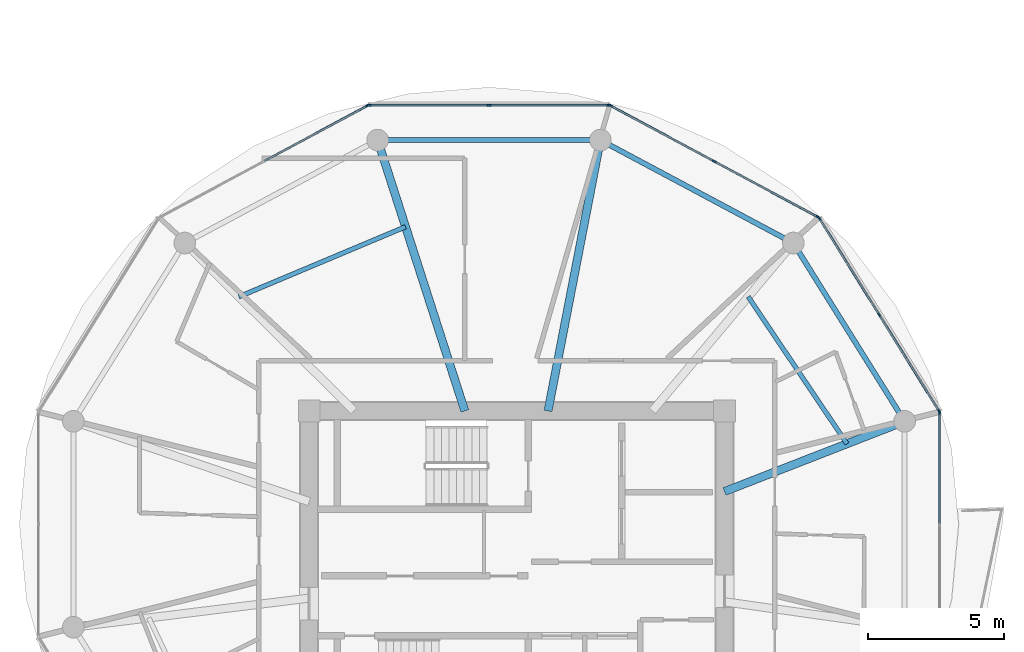
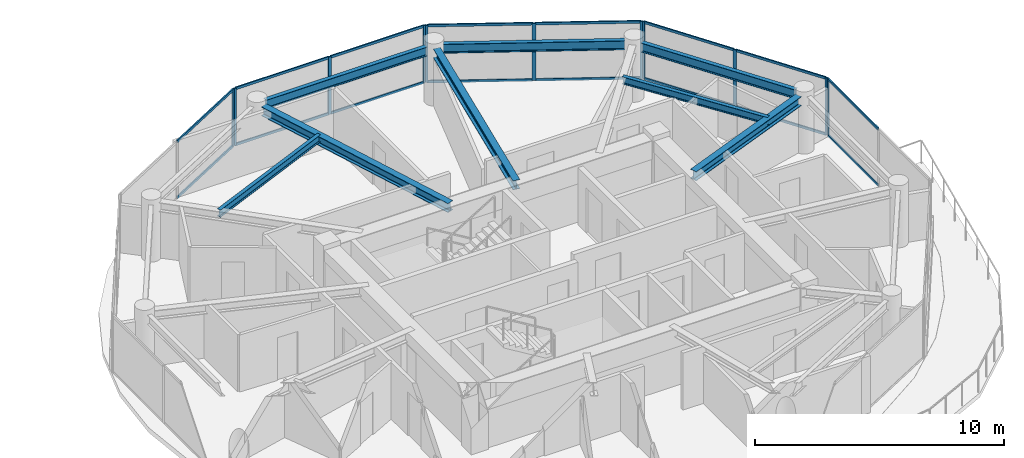
# One storey, part 10 of 24: 27 members, 8 beams, 5 elements without a shape of their own.
"""IFC4 building model written with IfcOpenShell, lengths in metres."""

from ifc_helpers import new_model, si_unit, direction, frame, origin, origin_2d, place, context, subcontext, project, spatial, rectangle, i_section, extrude, source, transform, mapped, material, layer, layer_set, material_profile, profile_set, type_object, type_shapes, element, aggregate, save


model = new_model("IFC4")

# Units and contexts
model_context = context("Model", 3, precision=1e-05, world=origin(), true_north=direction((0.0, 1.0)))
body_context = subcontext(model_context, "Body", "Model", "MODEL_VIEW")
ifc_project = project(units=[si_unit("LENGTHUNIT", "METRE"), si_unit("AREAUNIT", "SQUARE_METRE"), si_unit("VOLUMEUNIT", "CUBIC_METRE"), si_unit("PLANEANGLEUNIT", "RADIAN"), si_unit("MASSUNIT", "GRAM", prefix="KILO")], contexts=[model_context])

# Site, building, storey
site_placement = place(None, origin())
site = spatial("IfcSite", under=ifc_project, at=site_placement, CompositionType="ELEMENT")
building_placement = place(site_placement, origin())
building = spatial("IfcBuilding", under=site, at=building_placement, Name="Norrkilde Senior Care Towers", CompositionType="ELEMENT")
storey_placement = place(building_placement, frame((0.0, 0.0, 155.64990234375)))
storey = spatial("IfcBuildingStorey", under=building, at=storey_placement, Name="L48", CompositionType="ELEMENT", Elevation=155.64990234375)

# Beams
ifc_material_1 = material(Name="Steel S355", Category="steel")
ifc_material_profile_1 = material_profile(ifc_material_1, i_section(OverallWidth=0.18994140625, OverallDepth=0.449951171875, WebThickness=0.009521484375, FlangeThickness=0.0146484375, FilletRadius=0.02099609375, at=origin_2d()), Name="IPE 450")
ifc_profile_set_1 = profile_set([ifc_material_profile_1], Name="Steel S355")
beam_type_1 = type_object("IfcBeamType", Name="Perimeter Ring Spandrel Z3 IPE450", PredefinedType="SPANDREL", material=ifc_profile_set_1)
shared_shape_1 = source(origin(), body_context, "Body", "SweptSolid", [
    extrude(i_section(OverallWidth=0.18994140625, OverallDepth=0.449951171875, WebThickness=0.009521484375, FlangeThickness=0.0146484375, FilletRadius=0.02099609375, at=origin_2d()), origin(), (0.0, 0.0, 1.0), 7.0234375),
])
beam_1_placement = place(storey_placement, frame((42.09423828125, 5.872314453125, 2.585205078125), z_axis=(-0.529789577822, 0.848129119433, 0.0), x_axis=(-0.848129119433, -0.529789577822, 0.0)))
element("IfcBeam", 1, at=beam_1_placement, inside=storey, type_object=beam_type_1, Name="L48 Drum E Perimeter Spandrel 01", PredefinedType="SPANDREL", context=body_context, shape_type="MappedRepresentation", body=[
    mapped(shared_shape_1, transform((0.0, 0.0, 0.0), x_axis=(1.0, 0.0, 0.0), y_axis=(0.0, 1.0, 0.0), z_axis=(0.0, 0.0, 1.0), scale=1.0)),
])
shared_shape_2 = source(origin(), body_context, "Body", "SweptSolid", [
    extrude(i_section(OverallWidth=0.18994140625, OverallDepth=0.449951171875, WebThickness=0.009521484375, FlangeThickness=0.0146484375, FilletRadius=0.02099609375, at=origin_2d()), origin(), (0.0, 0.0, 1.0), 7.333740234375),
])
beam_2_placement = place(storey_placement, frame((37.864990234375, 12.303955078125, 2.585205078125), z_axis=(-0.882247866069, 0.470785198172, 0.0), x_axis=(-0.470785198172, -0.882247866069, 0.0)))
element("IfcBeam", 2, at=beam_2_placement, inside=storey, type_object=beam_type_1, Name="L48 Drum E Perimeter Spandrel 02", PredefinedType="SPANDREL", context=body_context, shape_type="MappedRepresentation", body=[
    mapped(shared_shape_2, transform((0.0, 0.0, 0.0), x_axis=(1.0, 0.0, 0.0), y_axis=(0.0, 1.0, 0.0), z_axis=(0.0, 0.0, 1.0), scale=1.0)),
])
shared_shape_3 = source(origin(), body_context, "Body", "SweptSolid", [
    extrude(i_section(OverallWidth=0.18994140625, OverallDepth=0.449951171875, WebThickness=0.009521484375, FlangeThickness=0.0146484375, FilletRadius=0.02099609375, at=origin_2d()), origin(), (0.0, 0.0, 1.0), 7.484619140625),
])
type_shapes(beam_type_1, [shared_shape_1, shared_shape_2, shared_shape_3])
beam_3_placement = place(storey_placement, frame((30.71728515625, 15.92626953125, 2.585205078125), z_axis=(-1.0, 0.0, 0.0), x_axis=(0.0, -1.0, 0.0)))
element("IfcBeam", 3, at=beam_3_placement, inside=storey, type_object=beam_type_1, Name="L48 Drum E Perimeter Spandrel 03", PredefinedType="SPANDREL", context=body_context, shape_type="MappedRepresentation", body=[
    mapped(shared_shape_3, transform((0.0, 0.0, 0.0), x_axis=(1.0, 0.0, 0.0), y_axis=(0.0, 1.0, 0.0), z_axis=(0.0, 0.0, 1.0), scale=1.0)),
])
ifc_material_profile_2 = material_profile(ifc_material_1, i_section(OverallWidth=0.300048828125, OverallDepth=0.449951171875, WebThickness=0.013916015625, FlangeThickness=0.02587890625, FilletRadius=0.027099609375, at=origin_2d()), Name="HEB 450")
ifc_profile_set_2 = profile_set([ifc_material_profile_2], Name="Steel S355")
beam_type_2 = type_object("IfcBeamType", Name="Radial Floor Beam Z3 HEB450", PredefinedType="BEAM", material=ifc_profile_set_2)
shared_shape_4 = source(origin(), body_context, "Body", "SweptSolid", [
    extrude(i_section(OverallWidth=0.300048828125, OverallDepth=0.449951171875, WebThickness=0.013916015625, FlangeThickness=0.02587890625, FilletRadius=0.027099609375, at=origin_2d()), origin(), (0.0, 0.0, 1.0), 10.120361328125),
])
beam_4_placement = place(storey_placement, frame((26.08447265625, 5.949951171875, 2.585205078125), z_axis=(-0.306440973744, 0.951889662519, 0.0), x_axis=(-0.951889662519, -0.306440973744, 0.0)))
element("IfcBeam", 4, at=beam_4_placement, inside=storey, type_object=beam_type_2, Name="L48 Drum E Radial Floor Beam 04", PredefinedType="BEAM", context=body_context, shape_type="MappedRepresentation", body=[
    mapped(shared_shape_4, transform((0.0, 0.0, 0.0), x_axis=(1.0, 0.0, 0.0), y_axis=(0.0, 1.0, 0.0), z_axis=(0.0, 0.0, 1.0), scale=1.0)),
])
shared_shape_5 = source(origin(), body_context, "Body", "SweptSolid", [
    extrude(i_section(OverallWidth=0.300048828125, OverallDepth=0.449951171875, WebThickness=0.013916015625, FlangeThickness=0.02587890625, FilletRadius=0.027099609375, at=origin_2d()), origin(), (0.0, 0.0, 1.0), 9.80078125),
])
beam_5_placement = place(storey_placement, frame((29.149658203125, 5.949951171875, 2.585205078125), z_axis=(0.189716727661, 0.98183886827, 0.0), x_axis=(-0.98183886827, 0.189716727661, 0.0)))
element("IfcBeam", 5, at=beam_5_placement, inside=storey, type_object=beam_type_2, Name="L48 Drum E Radial Floor Beam 03", PredefinedType="BEAM", context=body_context, shape_type="MappedRepresentation", body=[
    mapped(shared_shape_5, transform((0.0, 0.0, 0.0), x_axis=(1.0, 0.0, 0.0), y_axis=(0.0, 1.0, 0.0), z_axis=(0.0, 0.0, 1.0), scale=1.0)),
])
shared_shape_6 = source(origin(), body_context, "Body", "SweptSolid", [
    extrude(i_section(OverallWidth=0.300048828125, OverallDepth=0.449951171875, WebThickness=0.013916015625, FlangeThickness=0.02587890625, FilletRadius=0.027099609375, at=origin_2d()), origin(), (0.0, 0.0, 1.0), 6.760986328125),
])
type_shapes(beam_type_2, [shared_shape_4, shared_shape_5, shared_shape_6])
beam_6_placement = place(storey_placement, frame((35.64990234375, 2.981201171875, 2.585205078125), z_axis=(0.931742171387, 0.363120539297, 0.0), x_axis=(-0.363120539297, 0.931742171387, 0.0)))
element("IfcBeam", 6, at=beam_6_placement, inside=storey, type_object=beam_type_2, Name="L48 Drum E Radial Floor Beam 01", PredefinedType="BEAM", context=body_context, shape_type="MappedRepresentation", body=[
    mapped(shared_shape_6, transform((0.0, 0.0, 0.0), x_axis=(1.0, 0.0, 0.0), y_axis=(0.0, 1.0, 0.0), z_axis=(0.0, 0.0, 1.0), scale=1.0)),
])
ifc_material_profile_3 = material_profile(ifc_material_1, i_section(OverallWidth=0.169921875, OverallDepth=0.360107421875, WebThickness=0.008056640625, FlangeThickness=0.0126953125, FilletRadius=0.01806640625, at=origin_2d()), Name="IPE 360")
ifc_profile_set_3 = profile_set([ifc_material_profile_3], Name="Steel S355")
beam_type_3 = type_object("IfcBeamType", Name="Secondary Floor Joist IPE360", PredefinedType="JOIST", material=ifc_profile_set_3)
shared_shape_7 = source(origin(), body_context, "Body", "SweptSolid", [
    extrude(i_section(OverallWidth=0.169921875, OverallDepth=0.360107421875, WebThickness=0.008056640625, FlangeThickness=0.0126953125, FilletRadius=0.01806640625, at=origin_2d()), origin(), (0.0, 0.0, 1.0), 6.657470703125),
])
beam_7_placement = place(storey_placement, frame((23.900390625, 12.73388671875, 2.630126953125), z_axis=(-0.921958799252, -0.387287971, 0.0), x_axis=(0.387287971, -0.921958799252, 0.0)))
element("IfcBeam", 7, at=beam_7_placement, inside=storey, type_object=beam_type_3, Name="L48 Drum E Secondary Floor Joist 2", PredefinedType="JOIST", context=body_context, shape_type="MappedRepresentation", body=[
    mapped(shared_shape_7, transform((0.0, 0.0, 0.0), x_axis=(1.0, 0.0, 0.0), y_axis=(0.0, 1.0, 0.0), z_axis=(0.0, 0.0, 1.0), scale=1.0)),
])
shared_shape_8 = source(origin(), body_context, "Body", "SweptSolid", [
    extrude(i_section(OverallWidth=0.169921875, OverallDepth=0.360107421875, WebThickness=0.008056640625, FlangeThickness=0.0126953125, FilletRadius=0.01806640625, at=origin_2d()), origin(), (0.0, 0.0, 1.0), 6.525390625),
])
type_shapes(beam_type_3, [shared_shape_7, shared_shape_8])
beam_8_placement = place(storey_placement, frame((40.161865234375, 4.739501953125, 2.630126953125), z_axis=(-0.55779590102, 0.829978152005, 0.0), x_axis=(-0.829978152005, -0.55779590102, 0.0)))
element("IfcBeam", 8, at=beam_8_placement, inside=storey, type_object=beam_type_3, Name="L48 Drum E Secondary Floor Joist 1", PredefinedType="JOIST", context=body_context, shape_type="MappedRepresentation", body=[
    mapped(shared_shape_8, transform((0.0, 0.0, 0.0), x_axis=(1.0, 0.0, 0.0), y_axis=(0.0, 1.0, 0.0), z_axis=(0.0, 0.0, 1.0), scale=1.0)),
])

# Curtain wall, members
ifc_material_2 = material(Name="Triple Low-E Insulated Glazing", Category="glass")
ifc_layer = layer(ifc_material_2, 0.18994140625)
ifc_layer_set = layer_set([ifc_layer], Name="Triple Low-E Insulated Glazing")
curtain_wall_type = type_object("IfcCurtainWallType", Name="CW4 Zone 3 Senior Residence Curtain Wall", PredefinedType="NOTDEFINED", material=ifc_layer_set)
curtain_wall_1_placement = place(storey_placement, origin())
curtain_wall_1 = element("IfcCurtainWall", 9, at=curtain_wall_1_placement, inside=storey, type_object=curtain_wall_type, Name="L48 Drum E Curtain Wall 00", PredefinedType="NOTDEFINED")
ifc_material_3 = material(Name="Anodised Aluminium", Category="aluminium")
ifc_material_profile_4 = material_profile(ifc_material_3, rectangle(XDim=0.06494140625, YDim=0.14990234375, at=origin_2d()), Name="ALU MULL 65x150")
ifc_profile_set_4 = profile_set([ifc_material_profile_4], Name="Anodised Aluminium")
member_type_1 = type_object("IfcMemberType", Name="Curtain Wall Mullion Z3-Z4 65x150", PredefinedType="MULLION", material=ifc_profile_set_4)
shared_shape_9 = source(origin(), body_context, "Body", "SweptSolid", [
    extrude(rectangle(XDim=0.06494140625, YDim=0.14990234375, at=origin_2d()), origin(), (0.0, 0.0, 1.0), 2.81005859375),
])
type_shapes(member_type_1, [shared_shape_9])
member_1_placement = place(storey_placement, frame((39.14013671875, 13.04736328125, 0.0), z_axis=(0.0, 0.0, 1.0), x_axis=(0.84963405474, 0.52737270789, 0.0)))
member_1 = element("IfcMember", 10, at=member_1_placement, type_object=member_type_1, Name="CW-4 mullion 1", PredefinedType="MULLION", context=body_context, shape_type="MappedRepresentation", body=[
    mapped(shared_shape_9, transform((0.0, 0.0, 0.0), x_axis=(1.0, 0.0, 0.0), y_axis=(0.0, 1.0, 0.0), z_axis=(0.0, 0.0, 1.0), scale=1.0)),
])
member_2_placement = place(storey_placement, frame((41.346435546875, 9.4931640625, 0.0), z_axis=(0.0, 0.0, 1.0), x_axis=(0.84963405474, 0.52737270789, 0.0)))
member_2 = element("IfcMember", 11, at=member_2_placement, type_object=member_type_1, Name="CW-4 mullion 2", PredefinedType="MULLION", context=body_context, shape_type="MappedRepresentation", body=[
    mapped(shared_shape_9, transform((0.0, 0.0, 0.0), x_axis=(1.0, 0.0, 0.0), y_axis=(0.0, 1.0, 0.0), z_axis=(0.0, 0.0, 1.0), scale=1.0)),
])
member_3_placement = place(storey_placement, frame((43.552490234375, 5.93896484375, 0.0), z_axis=(0.0, 0.0, 1.0), x_axis=(0.84963405474, 0.52737270789, 0.0)))
member_3 = element("IfcMember", 12, at=member_3_placement, type_object=member_type_1, Name="CW-4 mullion 3", PredefinedType="MULLION", context=body_context, shape_type="MappedRepresentation", body=[
    mapped(shared_shape_9, transform((0.0, 0.0, 0.0), x_axis=(1.0, 0.0, 0.0), y_axis=(0.0, 1.0, 0.0), z_axis=(0.0, 0.0, 1.0), scale=1.0)),
])

curtain_wall_2_placement = place(storey_placement, origin())
curtain_wall_2 = element("IfcCurtainWall", 13, at=curtain_wall_2_placement, inside=storey, type_object=curtain_wall_type, Name="L48 Drum E Curtain Wall 01", PredefinedType="NOTDEFINED")
member_4_placement = place(storey_placement, frame((31.4501953125, 17.195556640625, 0.0), z_axis=(0.0, 0.0, 1.0), x_axis=(0.47311715104, 0.880999524059, 0.0)))
member_4 = element("IfcMember", 14, at=member_4_placement, type_object=member_type_1, Name="CW-4 mullion 1", PredefinedType="MULLION", context=body_context, shape_type="MappedRepresentation", body=[
    mapped(shared_shape_9, transform((0.0, 0.0, 0.0), x_axis=(1.0, 0.0, 0.0), y_axis=(0.0, 1.0, 0.0), z_axis=(0.0, 0.0, 1.0), scale=1.0)),
])
member_5_placement = place(storey_placement, frame((35.272216796875, 15.142822265625, 0.0), z_axis=(0.0, 0.0, 1.0), x_axis=(0.47311715104, 0.880999524059, 0.0)))
member_5 = element("IfcMember", 15, at=member_5_placement, type_object=member_type_1, Name="CW-4 mullion 2", PredefinedType="MULLION", context=body_context, shape_type="MappedRepresentation", body=[
    mapped(shared_shape_9, transform((0.0, 0.0, 0.0), x_axis=(1.0, 0.0, 0.0), y_axis=(0.0, 1.0, 0.0), z_axis=(0.0, 0.0, 1.0), scale=1.0)),
])
member_6_placement = place(storey_placement, frame((39.094482421875, 13.09033203125, 0.0), z_axis=(0.0, 0.0, 1.0), x_axis=(0.47311715104, 0.880999524059, 0.0)))
member_6 = element("IfcMember", 16, at=member_6_placement, type_object=member_type_1, Name="CW-4 mullion 3", PredefinedType="MULLION", context=body_context, shape_type="MappedRepresentation", body=[
    mapped(shared_shape_9, transform((0.0, 0.0, 0.0), x_axis=(1.0, 0.0, 0.0), y_axis=(0.0, 1.0, 0.0), z_axis=(0.0, 0.0, 1.0), scale=1.0)),
])

curtain_wall_3_placement = place(storey_placement, origin())
curtain_wall_3 = element("IfcCurtainWall", 17, at=curtain_wall_3_placement, inside=storey, type_object=curtain_wall_type, Name="L48 Drum E Curtain Wall 02", PredefinedType="NOTDEFINED")
member_7_placement = place(storey_placement, frame((22.56103515625, 17.2109375, 0.0), z_axis=(0.0, 0.0, 1.0), x_axis=(0.0, 1.0, 0.0)))
member_7 = element("IfcMember", 18, at=member_7_placement, type_object=member_type_1, Name="CW-4 mullion 1", PredefinedType="MULLION", context=body_context, shape_type="MappedRepresentation", body=[
    mapped(shared_shape_9, transform((0.0, 0.0, 0.0), x_axis=(1.0, 0.0, 0.0), y_axis=(0.0, 1.0, 0.0), z_axis=(0.0, 0.0, 1.0), scale=1.0)),
])
member_8_placement = place(storey_placement, frame((26.97509765625, 17.2109375, 0.0), z_axis=(0.0, 0.0, 1.0), x_axis=(0.0, 1.0, 0.0)))
member_8 = element("IfcMember", 19, at=member_8_placement, type_object=member_type_1, Name="CW-4 mullion 2", PredefinedType="MULLION", context=body_context, shape_type="MappedRepresentation", body=[
    mapped(shared_shape_9, transform((0.0, 0.0, 0.0), x_axis=(1.0, 0.0, 0.0), y_axis=(0.0, 1.0, 0.0), z_axis=(0.0, 0.0, 1.0), scale=1.0)),
])
member_9_placement = place(storey_placement, frame((31.388916015625, 17.2109375, 0.0), z_axis=(0.0, 0.0, 1.0), x_axis=(0.0, 1.0, 0.0)))
member_9 = element("IfcMember", 20, at=member_9_placement, type_object=member_type_1, Name="CW-4 mullion 3", PredefinedType="MULLION", context=body_context, shape_type="MappedRepresentation", body=[
    mapped(shared_shape_9, transform((0.0, 0.0, 0.0), x_axis=(1.0, 0.0, 0.0), y_axis=(0.0, 1.0, 0.0), z_axis=(0.0, 0.0, 1.0), scale=1.0)),
])

# Curtain wall, member
curtain_wall_4_placement = place(storey_placement, origin())
curtain_wall_4 = element("IfcCurtainWall", 21, at=curtain_wall_4_placement, inside=storey, type_object=curtain_wall_type, Name="L48 Drum E Curtain Wall 03", PredefinedType="NOTDEFINED")
member_10_placement = place(storey_placement, frame((22.499755859375, 17.195556640625, 0.0), z_axis=(0.0, 0.0, 1.0), x_axis=(-0.47311715104, 0.880999524059, 0.0)))
member_10 = element("IfcMember", 22, at=member_10_placement, type_object=member_type_1, Name="CW-4 mullion 3", PredefinedType="MULLION", context=body_context, shape_type="MappedRepresentation", body=[
    mapped(shared_shape_9, transform((0.0, 0.0, 0.0), x_axis=(1.0, 0.0, 0.0), y_axis=(0.0, 1.0, 0.0), z_axis=(0.0, 0.0, 1.0), scale=1.0)),
])

curtain_wall_5_placement = place(storey_placement, origin())
curtain_wall_5 = element("IfcCurtainWall", 23, at=curtain_wall_5_placement, inside=storey, type_object=curtain_wall_type, Name="L48 Drum E Curtain Wall 11", PredefinedType="NOTDEFINED")
member_11_placement = place(storey_placement, frame((43.569580078125, 5.878662109375, 0.0), z_axis=(0.0, 0.0, 1.0), x_axis=(1.0, 0.0, 0.0)))
member_11 = element("IfcMember", 24, at=member_11_placement, type_object=member_type_1, Name="CW-4 mullion 1", PredefinedType="MULLION", context=body_context, shape_type="MappedRepresentation", body=[
    mapped(shared_shape_9, transform((0.0, 0.0, 0.0), x_axis=(1.0, 0.0, 0.0), y_axis=(0.0, 1.0, 0.0), z_axis=(0.0, 0.0, 1.0), scale=1.0)),
])

# Member
ifc_material_profile_5 = material_profile(ifc_material_3, rectangle(XDim=0.06005859375, YDim=0.1201171875, at=origin_2d()), Name="ALU TRAN 60x120")
ifc_profile_set_5 = profile_set([ifc_material_profile_5], Name="Anodised Aluminium")
member_type_2 = type_object("IfcMemberType", Name="Curtain Wall Transom Typical 60x120", PredefinedType="USERDEFINED", material=ifc_profile_set_5)
shared_shape_10 = source(origin(), body_context, "Body", "SweptSolid", [
    extrude(rectangle(XDim=0.06005859375, YDim=0.1201171875, at=origin_2d()), origin(), (0.0, 0.0, 1.0), 4.1181640625),
])
member_12_placement = place(storey_placement, frame((39.157470703125, 13.019775390625, 0.030029296875), z_axis=(0.527331870867, -0.849659401153, 0.0), x_axis=(0.849659401153, 0.527331870867, 0.0)))
member_12 = element("IfcMember", 25, at=member_12_placement, type_object=member_type_2, Name="CW-4 transom 1.1", ObjectType="TRANSOM", PredefinedType="USERDEFINED", context=body_context, shape_type="MappedRepresentation", body=[
    mapped(shared_shape_10, transform((0.0, 0.0, 0.0), x_axis=(1.0, 0.0, 0.0), y_axis=(0.0, 1.0, 0.0), z_axis=(0.0, 0.0, 1.0), scale=1.0)),
])

member_13_placement = place(storey_placement, frame((39.157470703125, 13.019775390625, 2.780029296875), z_axis=(0.527331870867, -0.849659401153, 0.0), x_axis=(0.849659401153, 0.527331870867, 0.0)))
member_13 = element("IfcMember", 26, at=member_13_placement, type_object=member_type_2, Name="CW-4 transom 1.2", ObjectType="TRANSOM", PredefinedType="USERDEFINED", context=body_context, shape_type="MappedRepresentation", body=[
    mapped(shared_shape_10, transform((0.0, 0.0, 0.0), x_axis=(1.0, 0.0, 0.0), y_axis=(0.0, 1.0, 0.0), z_axis=(0.0, 0.0, 1.0), scale=1.0)),
])

member_14_placement = place(storey_placement, frame((41.363525390625, 9.465576171875, 0.030029296875), z_axis=(0.527374667286, -0.849632838528, 0.0), x_axis=(0.849632838528, 0.527374667286, 0.0)))
member_14 = element("IfcMember", 27, at=member_14_placement, type_object=member_type_2, Name="CW-4 transom 2.1", ObjectType="TRANSOM", PredefinedType="USERDEFINED", context=body_context, shape_type="MappedRepresentation", body=[
    mapped(shared_shape_10, transform((0.0, 0.0, 0.0), x_axis=(1.0, 0.0, 0.0), y_axis=(0.0, 1.0, 0.0), z_axis=(0.0, 0.0, 1.0), scale=1.0)),
])

member_15_placement = place(storey_placement, frame((41.363525390625, 9.465576171875, 2.780029296875), z_axis=(0.527374667286, -0.849632838528, 0.0), x_axis=(0.849632838528, 0.527374667286, 0.0)))
member_15 = element("IfcMember", 28, at=member_15_placement, type_object=member_type_2, Name="CW-4 transom 2.2", ObjectType="TRANSOM", PredefinedType="USERDEFINED", context=body_context, shape_type="MappedRepresentation", body=[
    mapped(shared_shape_10, transform((0.0, 0.0, 0.0), x_axis=(1.0, 0.0, 0.0), y_axis=(0.0, 1.0, 0.0), z_axis=(0.0, 0.0, 1.0), scale=1.0)),
])

aggregate(curtain_wall_1, [member_1, member_2, member_3, member_12, member_13, member_14, member_15])

shared_shape_11 = source(origin(), body_context, "Body", "SweptSolid", [
    extrude(rectangle(XDim=0.06005859375, YDim=0.1201171875, at=origin_2d()), origin(), (0.0, 0.0, 1.0), 4.2734375),
])
member_16_placement = place(storey_placement, frame((31.478759765625, 17.18017578125, 0.030029296875), z_axis=(0.880986050649, -0.47314223925, 0.0), x_axis=(0.47314223925, 0.880986050649, 0.0)))
member_16 = element("IfcMember", 29, at=member_16_placement, type_object=member_type_2, Name="CW-4 transom 1.1", ObjectType="TRANSOM", PredefinedType="USERDEFINED", context=body_context, shape_type="MappedRepresentation", body=[
    mapped(shared_shape_11, transform((0.0, 0.0, 0.0), x_axis=(1.0, 0.0, 0.0), y_axis=(0.0, 1.0, 0.0), z_axis=(0.0, 0.0, 1.0), scale=1.0)),
])

member_17_placement = place(storey_placement, frame((31.478759765625, 17.18017578125, 2.780029296875), z_axis=(0.880986050649, -0.47314223925, 0.0), x_axis=(0.47314223925, 0.880986050649, 0.0)))
member_17 = element("IfcMember", 30, at=member_17_placement, type_object=member_type_2, Name="CW-4 transom 1.2", ObjectType="TRANSOM", PredefinedType="USERDEFINED", context=body_context, shape_type="MappedRepresentation", body=[
    mapped(shared_shape_11, transform((0.0, 0.0, 0.0), x_axis=(1.0, 0.0, 0.0), y_axis=(0.0, 1.0, 0.0), z_axis=(0.0, 0.0, 1.0), scale=1.0)),
])

member_18_placement = place(storey_placement, frame((35.301025390625, 15.12744140625, 0.030029296875), z_axis=(0.881009863348, -0.473097897567, 0.0), x_axis=(0.473097897567, 0.881009863348, 0.0)))
member_18 = element("IfcMember", 31, at=member_18_placement, type_object=member_type_2, Name="CW-4 transom 2.1", ObjectType="TRANSOM", PredefinedType="USERDEFINED", context=body_context, shape_type="MappedRepresentation", body=[
    mapped(shared_shape_11, transform((0.0, 0.0, 0.0), x_axis=(1.0, 0.0, 0.0), y_axis=(0.0, 1.0, 0.0), z_axis=(0.0, 0.0, 1.0), scale=1.0)),
])

member_19_placement = place(storey_placement, frame((35.301025390625, 15.12744140625, 2.780029296875), z_axis=(0.881009863348, -0.473097897567, 0.0), x_axis=(0.473097897567, 0.881009863348, 0.0)))
member_19 = element("IfcMember", 32, at=member_19_placement, type_object=member_type_2, Name="CW-4 transom 2.2", ObjectType="TRANSOM", PredefinedType="USERDEFINED", context=body_context, shape_type="MappedRepresentation", body=[
    mapped(shared_shape_11, transform((0.0, 0.0, 0.0), x_axis=(1.0, 0.0, 0.0), y_axis=(0.0, 1.0, 0.0), z_axis=(0.0, 0.0, 1.0), scale=1.0)),
])

aggregate(curtain_wall_2, [member_4, member_5, member_6, member_16, member_17, member_18, member_19])

member_20_placement = place(storey_placement, frame((18.706298828125, 15.158203125, 0.030029296875), z_axis=(0.880986050649, 0.47314223925, 0.0), x_axis=(-0.47314223925, 0.880986050649, 0.0)))
member_20 = element("IfcMember", 33, at=member_20_placement, type_object=member_type_2, Name="CW-4 transom 2.1", ObjectType="TRANSOM", PredefinedType="USERDEFINED", context=body_context, shape_type="MappedRepresentation", body=[
    mapped(shared_shape_11, transform((0.0, 0.0, 0.0), x_axis=(1.0, 0.0, 0.0), y_axis=(0.0, 1.0, 0.0), z_axis=(0.0, 0.0, 1.0), scale=1.0)),
])

member_21_placement = place(storey_placement, frame((18.706298828125, 15.158203125, 2.780029296875), z_axis=(0.880986050649, 0.47314223925, 0.0), x_axis=(-0.47314223925, 0.880986050649, 0.0)))
member_21 = element("IfcMember", 34, at=member_21_placement, type_object=member_type_2, Name="CW-4 transom 2.2", ObjectType="TRANSOM", PredefinedType="USERDEFINED", context=body_context, shape_type="MappedRepresentation", body=[
    mapped(shared_shape_11, transform((0.0, 0.0, 0.0), x_axis=(1.0, 0.0, 0.0), y_axis=(0.0, 1.0, 0.0), z_axis=(0.0, 0.0, 1.0), scale=1.0)),
])

aggregate(curtain_wall_4, [member_10, member_20, member_21])

shared_shape_12 = source(origin(), body_context, "Body", "SweptSolid", [
    extrude(rectangle(XDim=0.06005859375, YDim=0.1201171875, at=origin_2d()), origin(), (0.0, 0.0, 1.0), 4.038330078125),
])
member_22_placement = place(storey_placement, frame((43.569580078125, 5.84619140625, 0.030029296875), z_axis=(0.0, -1.0, 0.0), x_axis=(1.0, 0.0, 0.0)))
member_22 = element("IfcMember", 35, at=member_22_placement, type_object=member_type_2, Name="CW-4 transom 1.1", ObjectType="TRANSOM", PredefinedType="USERDEFINED", context=body_context, shape_type="MappedRepresentation", body=[
    mapped(shared_shape_12, transform((0.0, 0.0, 0.0), x_axis=(1.0, 0.0, 0.0), y_axis=(0.0, 1.0, 0.0), z_axis=(0.0, 0.0, 1.0), scale=1.0)),
])

member_23_placement = place(storey_placement, frame((43.569580078125, 5.84619140625, 2.780029296875), z_axis=(0.0, -1.0, 0.0), x_axis=(1.0, 0.0, 0.0)))
member_23 = element("IfcMember", 36, at=member_23_placement, type_object=member_type_2, Name="CW-4 transom 1.2", ObjectType="TRANSOM", PredefinedType="USERDEFINED", context=body_context, shape_type="MappedRepresentation", body=[
    mapped(shared_shape_12, transform((0.0, 0.0, 0.0), x_axis=(1.0, 0.0, 0.0), y_axis=(0.0, 1.0, 0.0), z_axis=(0.0, 0.0, 1.0), scale=1.0)),
])

aggregate(curtain_wall_5, [member_11, member_22, member_23])

shared_shape_13 = source(origin(), body_context, "Body", "SweptSolid", [
    extrude(rectangle(XDim=0.06005859375, YDim=0.1201171875, at=origin_2d()), origin(), (0.0, 0.0, 1.0), 4.348876953125),
])
type_shapes(member_type_2, [shared_shape_10, shared_shape_11, shared_shape_12, shared_shape_13])
member_24_placement = place(storey_placement, frame((22.593505859375, 17.2109375, 0.030029296875), z_axis=(1.0, 0.0, 0.0), x_axis=(0.0, 1.0, 0.0)))
member_24 = element("IfcMember", 37, at=member_24_placement, type_object=member_type_2, Name="CW-4 transom 1.1", ObjectType="TRANSOM", PredefinedType="USERDEFINED", context=body_context, shape_type="MappedRepresentation", body=[
    mapped(shared_shape_13, transform((0.0, 0.0, 0.0), x_axis=(1.0, 0.0, 0.0), y_axis=(0.0, 1.0, 0.0), z_axis=(0.0, 0.0, 1.0), scale=1.0)),
])

member_25_placement = place(storey_placement, frame((22.593505859375, 17.2109375, 2.780029296875), z_axis=(1.0, 0.0, 0.0), x_axis=(0.0, 1.0, 0.0)))
member_25 = element("IfcMember", 38, at=member_25_placement, type_object=member_type_2, Name="CW-4 transom 1.2", ObjectType="TRANSOM", PredefinedType="USERDEFINED", context=body_context, shape_type="MappedRepresentation", body=[
    mapped(shared_shape_13, transform((0.0, 0.0, 0.0), x_axis=(1.0, 0.0, 0.0), y_axis=(0.0, 1.0, 0.0), z_axis=(0.0, 0.0, 1.0), scale=1.0)),
])

member_26_placement = place(storey_placement, frame((27.007568359375, 17.2109375, 0.030029296875), z_axis=(1.0, 0.0, 0.0), x_axis=(0.0, 1.0, 0.0)))
member_26 = element("IfcMember", 39, at=member_26_placement, type_object=member_type_2, Name="CW-4 transom 2.1", ObjectType="TRANSOM", PredefinedType="USERDEFINED", context=body_context, shape_type="MappedRepresentation", body=[
    mapped(shared_shape_13, transform((0.0, 0.0, 0.0), x_axis=(1.0, 0.0, 0.0), y_axis=(0.0, 1.0, 0.0), z_axis=(0.0, 0.0, 1.0), scale=1.0)),
])

member_27_placement = place(storey_placement, frame((27.007568359375, 17.2109375, 2.780029296875), z_axis=(1.0, 0.0, 0.0), x_axis=(0.0, 1.0, 0.0)))
member_27 = element("IfcMember", 40, at=member_27_placement, type_object=member_type_2, Name="CW-4 transom 2.2", ObjectType="TRANSOM", PredefinedType="USERDEFINED", context=body_context, shape_type="MappedRepresentation", body=[
    mapped(shared_shape_13, transform((0.0, 0.0, 0.0), x_axis=(1.0, 0.0, 0.0), y_axis=(0.0, 1.0, 0.0), z_axis=(0.0, 0.0, 1.0), scale=1.0)),
])

aggregate(curtain_wall_3, [member_7, member_8, member_9, member_24, member_25, member_26, member_27])

save(model, "model.ifc")
